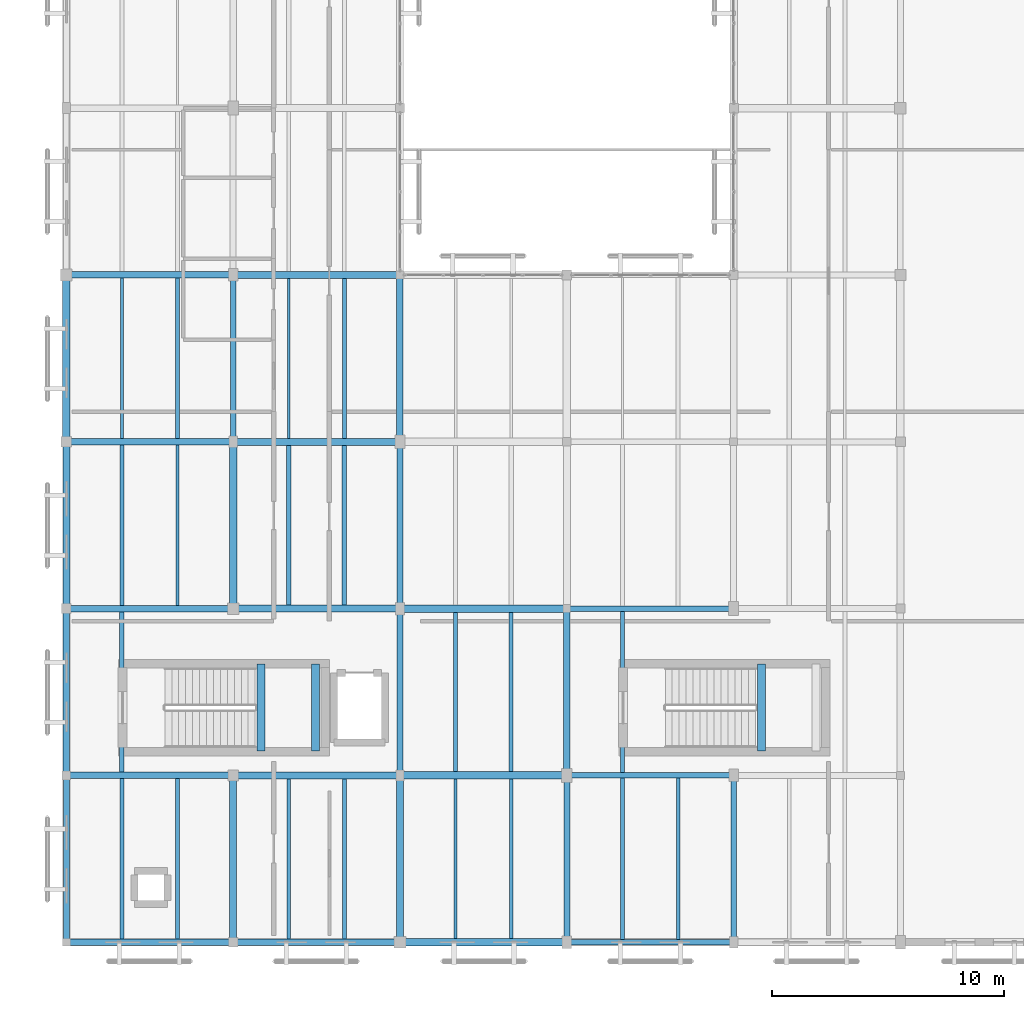
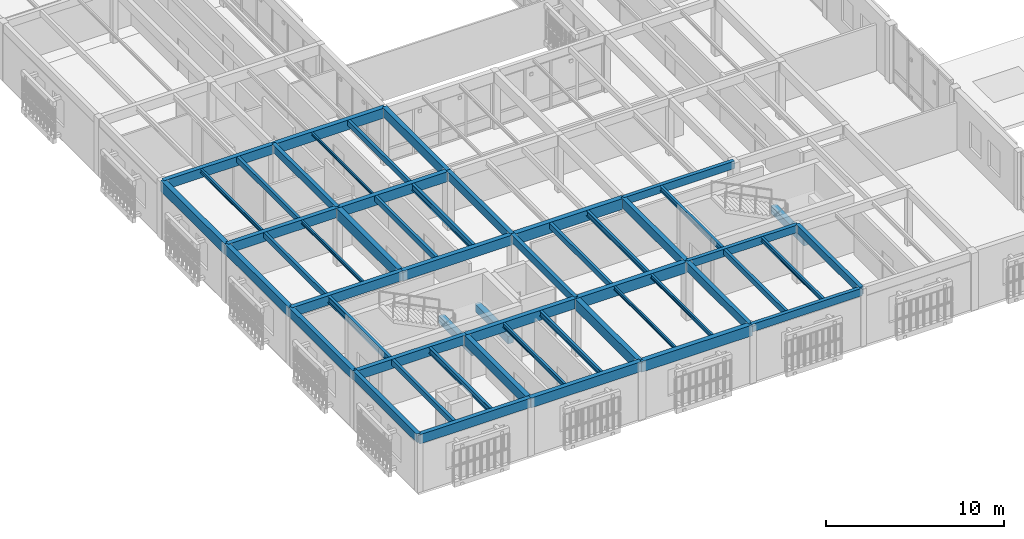
# One storey, part 9 of 61: 53 beams.
"""IFC4 building model written with IfcOpenShell, lengths in metres."""

from ifc_helpers import new_model, si_unit, direction, frame, origin, origin_2d, place, context, subcontext, project, spatial, rectangle, i_section, extrude, material, material_profile, profile_set, type_object, element, save


model = new_model("IFC4")

# Units and contexts
model_context = context("Model", 3, precision=1e-05, world=origin(), true_north=direction((0.0, 1.0)))
body_context = subcontext(model_context, "Body", "Model", "MODEL_VIEW")
ifc_project = project(units=[si_unit("LENGTHUNIT", "METRE"), si_unit("AREAUNIT", "SQUARE_METRE"), si_unit("VOLUMEUNIT", "CUBIC_METRE"), si_unit("PLANEANGLEUNIT", "RADIAN"), si_unit("MASSUNIT", "GRAM", prefix="KILO")], contexts=[model_context])

# Site, building, storey
site_placement = place(None, origin())
site = spatial("IfcSite", under=ifc_project, at=site_placement, CompositionType="ELEMENT")
building_placement = place(site_placement, origin())
building = spatial("IfcBuilding", under=site, at=building_placement, Name="Mazaris Harbour Polytechnic", CompositionType="ELEMENT")
storey_placement = place(building_placement, frame((0.0, 0.0, 18.0)))
storey = spatial("IfcBuildingStorey", under=building, at=storey_placement, Name="L04", CompositionType="ELEMENT", Elevation=18.0)

# Beams
ifc_material_1 = material(Name="Glulam GL32h", Category="wood")
ifc_material_profile_1 = material_profile(ifc_material_1, rectangle(XDim=0.239990234375, YDim=0.52001953125, at=origin_2d()), Name="RECT240x520")
ifc_profile_set_1 = profile_set([ifc_material_profile_1], Name="Glulam GL32h")
beam_type_1 = type_object("IfcBeamType", Name="Glulam Girder 240x520", PredefinedType="BEAM", material=ifc_profile_set_1)
for number, where, z_axis, x_axis, name in (
    (1, (21.60009765625, 14.39990234375, 3.675048828125), (1.0, 0.0, 0.0), (0.0, 1.0, 0.0), "V4 L04 Girder 2370"),
    (2, (21.60009765625, 21.60009765625, 3.675048828125), (1.0, 0.0, 0.0), (0.0, 1.0, 0.0), "V4 L04 Girder 2375"),
    (3, (7.199951171875, 28.800048828125, 3.675048828125), (0.0, 1.0, 0.0), (-1.0, 0.0, 0.0), "V4 L04 Tie Girder 2405"),
):
    element("IfcBeam", number, at=place(storey_placement, frame(where, z_axis=z_axis, x_axis=x_axis)), inside=storey, type_object=beam_type_1, Name=name, PredefinedType="BEAM", context=body_context, shape_type="SweptSolid", body=[
        extrude(rectangle(XDim=0.239990234375, YDim=0.52001953125, at=origin_2d()), origin(), (0.0, 0.0, 1.0), 7.199951171875),
    ])
beam_1_placement = place(storey_placement, frame((14.39990234375, 14.39990234375, 3.675048828125), z_axis=(0.0, 1.0, 0.0), x_axis=(-1.0, 0.0, 0.0)))
element("IfcBeam", 4, at=beam_1_placement, inside=storey, type_object=beam_type_1, Name="V4 L04 Tie Girder 2410", PredefinedType="BEAM", context=body_context, shape_type="SweptSolid", body=[
    extrude(rectangle(XDim=0.239990234375, YDim=0.52001953125, at=origin_2d()), origin(), (0.0, 0.0, 1.0), 7.2001953125),
])
beam_2_placement = place(storey_placement, frame((28.800048828125, 7.199951171875, 3.675048828125), z_axis=(0.0, 1.0, 0.0), x_axis=(-1.0, 0.0, 0.0)))
element("IfcBeam", 5, at=beam_2_placement, inside=storey, type_object=beam_type_1, Name="V4 L04 Tie Girder 2420", PredefinedType="BEAM", context=body_context, shape_type="SweptSolid", body=[
    extrude(rectangle(XDim=0.239990234375, YDim=0.52001953125, at=origin_2d()), origin(), (0.0, 0.0, 1.0), 7.199951171875),
])
ifc_material_2 = material(Name="Glulam GL32h", Category="wood")
ifc_material_profile_2 = material_profile(ifc_material_2, rectangle(XDim=0.239990234375, YDim=0.52001953125, at=origin_2d()), Name="RECT240x520")
ifc_profile_set_2 = profile_set([ifc_material_profile_2], Name="Glulam GL32h")
beam_type_2 = type_object("IfcBeamType", Name="Glulam Girder 240x520 Exterior", PredefinedType="BEAM", material=ifc_profile_set_2)
beam_3_placement = place(storey_placement, frame((21.60009765625, 7.199951171875, 3.675048828125), z_axis=(1.0, 0.0, 0.0), x_axis=(0.0, 1.0, 0.0)))
element("IfcBeam", 6, at=beam_3_placement, inside=storey, type_object=beam_type_2, Name="V4 L04 Girder 2365", PredefinedType="BEAM", context=body_context, shape_type="SweptSolid", body=[
    extrude(rectangle(XDim=0.239990234375, YDim=0.52001953125, at=origin_2d()), origin(), (0.0, 0.0, 1.0), 7.199951171875),
])
ifc_material_3 = material(Name="Glulam GL32h", Category="wood")
ifc_material_profile_3 = material_profile(ifc_material_3, rectangle(XDim=0.260009765625, YDim=0.580078125, at=origin_2d()), Name="RECT260x580")
ifc_profile_set_3 = profile_set([ifc_material_profile_3], Name="Glulam GL32h")
beam_type_3 = type_object("IfcBeamType", Name="Glulam Girder 260x580", PredefinedType="BEAM", material=ifc_profile_set_3)
for number, where, z_axis, x_axis, name in (
    (7, (14.39990234375, 21.60009765625, 3.64501953125), (0.0, 1.0, 0.0), (-1.0, 0.0, 0.0), "V4 L04 Tie Girder 2411"),
    (8, (21.60009765625, 7.199951171875, 3.64501953125), (0.0, 1.0, 0.0), (-1.0, 0.0, 0.0), "V4 L04 Tie Girder 2416"),
):
    element("IfcBeam", number, at=place(storey_placement, frame(where, z_axis=z_axis, x_axis=x_axis)), inside=storey, type_object=beam_type_3, Name=name, PredefinedType="BEAM", context=body_context, shape_type="SweptSolid", body=[
        extrude(rectangle(XDim=0.260009765625, YDim=0.580078125, at=origin_2d()), origin(), (0.0, 0.0, 1.0), 7.199951171875),
    ])
ifc_material_4 = material(Name="Glulam GL32h", Category="wood")
ifc_material_profile_4 = material_profile(ifc_material_4, rectangle(XDim=0.260009765625, YDim=0.580078125, at=origin_2d()), Name="RECT260x580")
ifc_profile_set_4 = profile_set([ifc_material_profile_4], Name="Glulam GL32h")
beam_type_4 = type_object("IfcBeamType", Name="Glulam Girder 260x580 Exterior", PredefinedType="BEAM", material=ifc_profile_set_4)
beam_4_placement = place(storey_placement, frame((0.0, 7.199951171875, 3.64501953125), z_axis=(0.0, 1.0, 0.0), x_axis=(-1.0, 0.0, 0.0)))
element("IfcBeam", 9, at=beam_4_placement, inside=storey, type_object=beam_type_4, Name="V4 L04 Tie Girder 2396", PredefinedType="BEAM", context=body_context, shape_type="SweptSolid", body=[
    extrude(rectangle(XDim=0.260009765625, YDim=0.580078125, at=origin_2d()), origin(), (0.0, 0.0, 1.0), 7.199951171875),
])
ifc_material_5 = material(Name="Glulam GL32h", Category="wood")
ifc_material_profile_5 = material_profile(ifc_material_5, rectangle(XDim=0.280029296875, YDim=0.639892578125, at=origin_2d()), Name="RECT280x640")
ifc_profile_set_5 = profile_set([ifc_material_profile_5], Name="Glulam GL32h")
beam_type_5 = type_object("IfcBeamType", Name="Glulam Girder 280x640", PredefinedType="BEAM", material=ifc_profile_set_5)
for number, where, z_axis, x_axis, name in (
    (10, (0.0, 14.39990234375, 3.614990234375), (1.0, 0.0, 0.0), (0.0, 1.0, 0.0), "V4 L04 Girder 2367"),
    (11, (0.0, 21.60009765625, 3.614990234375), (1.0, 0.0, 0.0), (0.0, 1.0, 0.0), "V4 L04 Girder 2372"),
    (12, (0.0, 28.800048828125, 3.614990234375), (1.0, 0.0, 0.0), (0.0, 1.0, 0.0), "V4 L04 Girder 2377"),
    (13, (0.0, 36.0, 3.614990234375), (1.0, 0.0, 0.0), (0.0, 1.0, 0.0), "V4 L04 Girder 2382"),
    (14, (14.39990234375, 28.800048828125, 3.614990234375), (0.0, 1.0, 0.0), (-1.0, 0.0, 0.0), "V4 L04 Tie Girder 2412"),
):
    element("IfcBeam", number, at=place(storey_placement, frame(where, z_axis=z_axis, x_axis=x_axis)), inside=storey, type_object=beam_type_5, Name=name, PredefinedType="BEAM", context=body_context, shape_type="SweptSolid", body=[
        extrude(rectangle(XDim=0.280029296875, YDim=0.639892578125, at=origin_2d()), origin(), (0.0, 0.0, 1.0), 7.199951171875),
    ])
beam_5_placement = place(storey_placement, frame((21.60009765625, 14.39990234375, 3.614990234375), z_axis=(0.0, 1.0, 0.0), x_axis=(-1.0, 0.0, 0.0)))
element("IfcBeam", 15, at=beam_5_placement, inside=storey, type_object=beam_type_5, Name="V4 L04 Tie Girder 2417", PredefinedType="BEAM", context=body_context, shape_type="SweptSolid", body=[
    extrude(rectangle(XDim=0.280029296875, YDim=0.639892578125, at=origin_2d()), origin(), (0.0, 0.0, 1.0), 7.2001953125),
])
ifc_material_6 = material(Name="Glulam GL32h", Category="wood")
ifc_material_profile_6 = material_profile(ifc_material_6, rectangle(XDim=0.280029296875, YDim=0.639892578125, at=origin_2d()), Name="RECT280x640")
ifc_profile_set_6 = profile_set([ifc_material_profile_6], Name="Glulam GL32h")
beam_type_6 = type_object("IfcBeamType", Name="Glulam Girder 280x640 Exterior", PredefinedType="BEAM", material=ifc_profile_set_6)
beam_6_placement = place(storey_placement, frame((0.0, 7.199951171875, 3.614990234375), z_axis=(1.0, 0.0, 0.0), x_axis=(0.0, 1.0, 0.0)))
element("IfcBeam", 16, at=beam_6_placement, inside=storey, type_object=beam_type_6, Name="V4 L04 Girder 2362", PredefinedType="BEAM", context=body_context, shape_type="SweptSolid", body=[
    extrude(rectangle(XDim=0.280029296875, YDim=0.639892578125, at=origin_2d()), origin(), (0.0, 0.0, 1.0), 7.199951171875),
])
beam_7_placement = place(storey_placement, frame((0.0, 14.39990234375, 3.614990234375), z_axis=(0.0, 1.0, 0.0), x_axis=(-1.0, 0.0, 0.0)))
element("IfcBeam", 17, at=beam_7_placement, inside=storey, type_object=beam_type_6, Name="V4 L04 Tie Girder 2397", PredefinedType="BEAM", context=body_context, shape_type="SweptSolid", body=[
    extrude(rectangle(XDim=0.280029296875, YDim=0.639892578125, at=origin_2d()), origin(), (0.0, 0.0, 1.0), 7.2001953125),
])
ifc_material_7 = material(Name="Glulam GL32h", Category="wood")
ifc_material_profile_7 = material_profile(ifc_material_7, rectangle(XDim=0.300048828125, YDim=0.679931640625, at=origin_2d()), Name="RECT300x680")
ifc_profile_set_7 = profile_set([ifc_material_profile_7], Name="Glulam GL32h")
beam_type_7 = type_object("IfcBeamType", Name="Glulam Girder 300x680", PredefinedType="BEAM", material=ifc_profile_set_7)
for number, where, z_axis, x_axis, name in (
    (18, (7.199951171875, 14.39990234375, 3.594970703125), (1.0, 0.0, 0.0), (0.0, 1.0, 0.0), "V4 L04 Girder 2368"),
    (19, (7.199951171875, 21.60009765625, 3.594970703125), (1.0, 0.0, 0.0), (0.0, 1.0, 0.0), "V4 L04 Girder 2373"),
    (20, (7.199951171875, 28.800048828125, 3.594970703125), (1.0, 0.0, 0.0), (0.0, 1.0, 0.0), "V4 L04 Girder 2378"),
    (21, (7.199951171875, 36.0, 3.594970703125), (1.0, 0.0, 0.0), (0.0, 1.0, 0.0), "V4 L04 Girder 2383"),
    (22, (7.199951171875, 7.199951171875, 3.594970703125), (0.0, 1.0, 0.0), (-1.0, 0.0, 0.0), "V4 L04 Tie Girder 2403"),
):
    element("IfcBeam", number, at=place(storey_placement, frame(where, z_axis=z_axis, x_axis=x_axis)), inside=storey, type_object=beam_type_7, Name=name, PredefinedType="BEAM", context=body_context, shape_type="SweptSolid", body=[
        extrude(rectangle(XDim=0.300048828125, YDim=0.679931640625, at=origin_2d()), origin(), (0.0, 0.0, 1.0), 7.199951171875),
    ])
ifc_material_8 = material(Name="Glulam GL32h", Category="wood")
ifc_material_profile_8 = material_profile(ifc_material_8, rectangle(XDim=0.300048828125, YDim=0.679931640625, at=origin_2d()), Name="RECT300x680")
ifc_profile_set_8 = profile_set([ifc_material_profile_8], Name="Glulam GL32h")
beam_type_8 = type_object("IfcBeamType", Name="Glulam Girder 300x680 Exterior", PredefinedType="BEAM", material=ifc_profile_set_8)
for number, where, z_axis, x_axis, name in (
    (23, (7.199951171875, 7.199951171875, 3.594970703125), (1.0, 0.0, 0.0), (0.0, 1.0, 0.0), "V4 L04 Girder 2363"),
    (24, (0.0, 21.60009765625, 3.594970703125), (0.0, 1.0, 0.0), (-1.0, 0.0, 0.0), "V4 L04 Tie Girder 2398"),
):
    element("IfcBeam", number, at=place(storey_placement, frame(where, z_axis=z_axis, x_axis=x_axis)), inside=storey, type_object=beam_type_8, Name=name, PredefinedType="BEAM", context=body_context, shape_type="SweptSolid", body=[
        extrude(rectangle(XDim=0.300048828125, YDim=0.679931640625, at=origin_2d()), origin(), (0.0, 0.0, 1.0), 7.199951171875),
    ])
ifc_material_9 = material(Name="Glulam GL32h", Category="wood")
ifc_material_profile_9 = material_profile(ifc_material_9, rectangle(XDim=0.320068359375, YDim=0.739990234375, at=origin_2d()), Name="RECT320x740")
ifc_profile_set_9 = profile_set([ifc_material_profile_9], Name="Glulam GL32h")
beam_type_9 = type_object("IfcBeamType", Name="Glulam Girder 320x740", PredefinedType="BEAM", material=ifc_profile_set_9)
for number, where, z_axis, x_axis, name in (
    (25, (14.39990234375, 14.39990234375, 3.56494140625), (1.0, 0.0, 0.0), (0.0, 1.0, 0.0), "V4 L04 Girder 2369"),
    (26, (14.39990234375, 21.60009765625, 3.56494140625), (1.0, 0.0, 0.0), (0.0, 1.0, 0.0), "V4 L04 Girder 2374"),
):
    element("IfcBeam", number, at=place(storey_placement, frame(where, z_axis=z_axis, x_axis=x_axis)), inside=storey, type_object=beam_type_9, Name=name, PredefinedType="BEAM", context=body_context, shape_type="SweptSolid", body=[
        extrude(rectangle(XDim=0.320068359375, YDim=0.739990234375, at=origin_2d()), origin(), (0.0, 0.0, 1.0), 7.2001953125),
    ])
for number, where, z_axis, x_axis, name in (
    (27, (7.199951171875, 21.60009765625, 3.56494140625), (0.0, 1.0, 0.0), (-1.0, 0.0, 0.0), "V4 L04 Tie Girder 2404"),
    (28, (14.39990234375, 7.199951171875, 3.56494140625), (0.0, 1.0, 0.0), (-1.0, 0.0, 0.0), "V4 L04 Tie Girder 2409"),
):
    element("IfcBeam", number, at=place(storey_placement, frame(where, z_axis=z_axis, x_axis=x_axis)), inside=storey, type_object=beam_type_9, Name=name, PredefinedType="BEAM", context=body_context, shape_type="SweptSolid", body=[
        extrude(rectangle(XDim=0.320068359375, YDim=0.739990234375, at=origin_2d()), origin(), (0.0, 0.0, 1.0), 7.199951171875),
    ])
ifc_material_10 = material(Name="Glulam GL32h", Category="wood")
ifc_material_profile_10 = material_profile(ifc_material_10, rectangle(XDim=0.320068359375, YDim=0.739990234375, at=origin_2d()), Name="RECT320x740")
ifc_profile_set_10 = profile_set([ifc_material_profile_10], Name="Glulam GL32h")
beam_type_10 = type_object("IfcBeamType", Name="Glulam Girder 320x740 Exterior", PredefinedType="BEAM", material=ifc_profile_set_10)
beam_8_placement = place(storey_placement, frame((14.39990234375, 7.199951171875, 3.56494140625), z_axis=(1.0, 0.0, 0.0), x_axis=(0.0, 1.0, 0.0)))
element("IfcBeam", 29, at=beam_8_placement, inside=storey, type_object=beam_type_10, Name="V4 L04 Girder 2364", PredefinedType="BEAM", context=body_context, shape_type="SweptSolid", body=[
    extrude(rectangle(XDim=0.320068359375, YDim=0.739990234375, at=origin_2d()), origin(), (0.0, 0.0, 1.0), 7.2001953125),
])
beam_9_placement = place(storey_placement, frame((0.0, 28.800048828125, 3.56494140625), z_axis=(0.0, 1.0, 0.0), x_axis=(-1.0, 0.0, 0.0)))
element("IfcBeam", 30, at=beam_9_placement, inside=storey, type_object=beam_type_10, Name="V4 L04 Tie Girder 2399", PredefinedType="BEAM", context=body_context, shape_type="SweptSolid", body=[
    extrude(rectangle(XDim=0.320068359375, YDim=0.739990234375, at=origin_2d()), origin(), (0.0, 0.0, 1.0), 7.199951171875),
])
ifc_material_11 = material(Name="Glulam GL28h", Category="wood")
ifc_material_profile_11 = material_profile(ifc_material_11, rectangle(XDim=0.179931640625, YDim=0.3798828125, at=origin_2d()), Name="RECT180x380")
ifc_profile_set_11 = profile_set([ifc_material_profile_11], Name="Glulam GL28h")
beam_type_11 = type_object("IfcBeamType", Name="Glulam Joist 180x380", PredefinedType="JOIST", material=ifc_profile_set_11)
for number, where, z_axis, x_axis, name in (
    (31, (2.39990234375, 7.340087890625, 3.7451171875), (0.0, 1.0, 0.0), (-1.0, 0.0, 0.0), "V4 L04 Floor Joist 2433"),
    (32, (2.39990234375, 21.739990234375, 3.7451171875), (0.0, 1.0, 0.0), (-1.0, 0.0, 0.0), "V4 L04 Floor Joist 2436"),
):
    element("IfcBeam", number, at=place(storey_placement, frame(where, z_axis=z_axis, x_axis=x_axis)), inside=storey, type_object=beam_type_11, Name=name, PredefinedType="JOIST", context=body_context, shape_type="SweptSolid", body=[
        extrude(rectangle(XDim=0.179931640625, YDim=0.3798828125, at=origin_2d()), origin(), (0.0, 0.0, 1.0), 6.919921875),
    ])
beam_10_placement = place(storey_placement, frame((4.800048828125, 28.93994140625, 3.7451171875), z_axis=(0.0, 1.0, 0.0), x_axis=(-1.0, 0.0, 0.0)))
element("IfcBeam", 33, at=beam_10_placement, inside=storey, type_object=beam_type_11, Name="V4 L04 Floor Joist 2439", PredefinedType="JOIST", context=body_context, shape_type="SweptSolid", body=[
    extrude(rectangle(XDim=0.179931640625, YDim=0.3798828125, at=origin_2d()), origin(), (0.0, 0.0, 1.0), 6.920166015625),
])
beam_11_placement = place(storey_placement, frame((9.60009765625, 21.75, 3.7451171875), z_axis=(0.0, 1.0, 0.0), x_axis=(-1.0, 0.0, 0.0)))
element("IfcBeam", 34, at=beam_11_placement, inside=storey, type_object=beam_type_11, Name="V4 L04 Floor Joist 2448", PredefinedType="JOIST", context=body_context, shape_type="SweptSolid", body=[
    extrude(rectangle(XDim=0.179931640625, YDim=0.3798828125, at=origin_2d()), origin(), (0.0, 0.0, 1.0), 6.89990234375),
])
beam_12_placement = place(storey_placement, frame((12.0, 28.949951171875, 3.7451171875), z_axis=(0.0, 1.0, 0.0), x_axis=(-1.0, 0.0, 0.0)))
element("IfcBeam", 35, at=beam_12_placement, inside=storey, type_object=beam_type_11, Name="V4 L04 Floor Joist 2451", PredefinedType="JOIST", context=body_context, shape_type="SweptSolid", body=[
    extrude(rectangle(XDim=0.179931640625, YDim=0.3798828125, at=origin_2d()), origin(), (0.0, 0.0, 1.0), 6.900146484375),
])
beam_13_placement = place(storey_placement, frame((16.800048828125, 14.56005859375, 3.7451171875), z_axis=(0.0, 1.0, 0.0), x_axis=(-1.0, 0.0, 0.0)))
element("IfcBeam", 36, at=beam_13_placement, inside=storey, type_object=beam_type_11, Name="V4 L04 Floor Joist 2460", PredefinedType="JOIST", context=body_context, shape_type="SweptSolid", body=[
    extrude(rectangle(XDim=0.179931640625, YDim=0.3798828125, at=origin_2d()), origin(), (0.0, 0.0, 1.0), 6.8798828125),
])
beam_14_placement = place(storey_placement, frame((24.0, 7.320068359375, 3.7451171875), z_axis=(0.0, 1.0, 0.0), x_axis=(-1.0, 0.0, 0.0)))
element("IfcBeam", 37, at=beam_14_placement, inside=storey, type_object=beam_type_11, Name="V4 L04 Floor Joist 2466", PredefinedType="JOIST", context=body_context, shape_type="SweptSolid", body=[
    extrude(rectangle(XDim=0.179931640625, YDim=0.3798828125, at=origin_2d()), origin(), (0.0, 0.0, 1.0), 6.9599609375),
])
ifc_material_12 = material(Name="Concrete C40/50", Category="concrete")
ifc_material_profile_12 = material_profile(ifc_material_12, rectangle(XDim=0.35009765625, YDim=0.52001953125, at=origin_2d()), Name="RECT350x520")
ifc_profile_set_12 = profile_set([ifc_material_profile_12], Name="Concrete C40/50")
beam_type_12 = type_object("IfcBeamType", Name="RC Landing Bearer 350x520", PredefinedType="BEAM", material=ifc_profile_set_12)
for number, where, z_axis, x_axis, name in (
    (38, (8.39990234375, 15.449951171875, 1.639892578125), (0.0, 1.0, 0.0), (-1.0, 0.0, 0.0), "Core ST07 L04 Landing Bearer"),
    (39, (10.75, 15.449951171875, 1.639892578125), (0.0, 1.0, 0.0), (-1.0, 0.0, 0.0), "Core ST07 L04 Landing Bearer"),
    (40, (30.0, 15.449951171875, 1.639892578125), (0.0, 1.0, 0.0), (-1.0, 0.0, 0.0), "Core ST08 L04 Landing Bearer"),
):
    element("IfcBeam", number, at=place(storey_placement, frame(where, z_axis=z_axis, x_axis=x_axis)), inside=storey, type_object=beam_type_12, Name=name, PredefinedType="BEAM", context=body_context, shape_type="SweptSolid", body=[
        extrude(rectangle(XDim=0.35009765625, YDim=0.52001953125, at=origin_2d()), origin(), (0.0, 0.0, 1.0), 3.75),
    ])
ifc_material_13 = material(Name="Steel S355", Category="steel")
ifc_material_profile_13 = material_profile(ifc_material_13, i_section(OverallWidth=0.10009765625, OverallDepth=0.199951171875, WebThickness=0.005615234375, FlangeThickness=0.008544921875, FilletRadius=0.011962890625, at=origin_2d()), Name="IPE 200")
ifc_profile_set_13 = profile_set([ifc_material_profile_13], Name="Steel S355")
beam_type_13 = type_object("IfcBeamType", Name="Steel Joist IPE200", PredefinedType="JOIST", material=ifc_profile_set_13)
beam_15_placement = place(storey_placement, frame((9.60009765625, 28.949951171875, 3.8349609375), z_axis=(0.0, 1.0, 0.0), x_axis=(-1.0, 0.0, 0.0)))
element("IfcBeam", 41, at=beam_15_placement, inside=storey, type_object=beam_type_13, Name="V4 L04 Floor Joist 2450", PredefinedType="JOIST", context=body_context, shape_type="SweptSolid", body=[
    extrude(i_section(OverallWidth=0.10009765625, OverallDepth=0.199951171875, WebThickness=0.005615234375, FlangeThickness=0.008544921875, FilletRadius=0.011962890625, at=origin_2d()), origin(), (0.0, 0.0, 1.0), 6.900146484375),
])
ifc_material_14 = material(Name="Steel S355", Category="steel")
ifc_material_profile_14 = material_profile(ifc_material_14, i_section(OverallWidth=0.1201171875, OverallDepth=0.239990234375, WebThickness=0.006103515625, FlangeThickness=0.009765625, FilletRadius=0.014892578125, at=origin_2d()), Name="IPE 240")
ifc_profile_set_14 = profile_set([ifc_material_profile_14], Name="Steel S355")
beam_type_14 = type_object("IfcBeamType", Name="Steel Joist IPE240", PredefinedType="JOIST", material=ifc_profile_set_14)
beam_16_placement = place(storey_placement, frame((4.800048828125, 21.739990234375, 3.81494140625), z_axis=(0.0, 1.0, 0.0), x_axis=(-1.0, 0.0, 0.0)))
element("IfcBeam", 42, at=beam_16_placement, inside=storey, type_object=beam_type_14, Name="V4 L04 Floor Joist 2437", PredefinedType="JOIST", context=body_context, shape_type="SweptSolid", body=[
    extrude(i_section(OverallWidth=0.1201171875, OverallDepth=0.239990234375, WebThickness=0.006103515625, FlangeThickness=0.009765625, FilletRadius=0.014892578125, at=origin_2d()), origin(), (0.0, 0.0, 1.0), 6.919921875),
])
beam_17_placement = place(storey_placement, frame((16.800048828125, 7.360107421875, 3.81494140625), z_axis=(0.0, 1.0, 0.0), x_axis=(-1.0, 0.0, 0.0)))
element("IfcBeam", 43, at=beam_17_placement, inside=storey, type_object=beam_type_14, Name="V4 L04 Floor Joist 2458", PredefinedType="JOIST", context=body_context, shape_type="SweptSolid", body=[
    extrude(i_section(OverallWidth=0.1201171875, OverallDepth=0.239990234375, WebThickness=0.006103515625, FlangeThickness=0.009765625, FilletRadius=0.014892578125, at=origin_2d()), origin(), (0.0, 0.0, 1.0), 6.8798828125),
])
ifc_material_15 = material(Name="Steel S355", Category="steel")
ifc_material_profile_15 = material_profile(ifc_material_15, i_section(OverallWidth=0.135009765625, OverallDepth=0.27001953125, WebThickness=0.006591796875, FlangeThickness=0.01025390625, FilletRadius=0.014892578125, at=origin_2d()), Name="IPE 270")
ifc_profile_set_15 = profile_set([ifc_material_profile_15], Name="Steel S355")
beam_type_15 = type_object("IfcBeamType", Name="Steel Joist IPE270", PredefinedType="JOIST", material=ifc_profile_set_15)
beam_18_placement = place(storey_placement, frame((2.39990234375, 28.93994140625, 3.800048828125), z_axis=(0.0, 1.0, 0.0), x_axis=(-1.0, 0.0, 0.0)))
element("IfcBeam", 44, at=beam_18_placement, inside=storey, type_object=beam_type_15, Name="V4 L04 Floor Joist 2438", PredefinedType="JOIST", context=body_context, shape_type="SweptSolid", body=[
    extrude(i_section(OverallWidth=0.135009765625, OverallDepth=0.27001953125, WebThickness=0.006591796875, FlangeThickness=0.01025390625, FilletRadius=0.014892578125, at=origin_2d()), origin(), (0.0, 0.0, 1.0), 6.920166015625),
])
beam_19_placement = place(storey_placement, frame((19.199951171875, 7.360107421875, 3.800048828125), z_axis=(0.0, 1.0, 0.0), x_axis=(-1.0, 0.0, 0.0)))
element("IfcBeam", 45, at=beam_19_placement, inside=storey, type_object=beam_type_15, Name="V4 L04 Floor Joist 2459", PredefinedType="JOIST", context=body_context, shape_type="SweptSolid", body=[
    extrude(i_section(OverallWidth=0.135009765625, OverallDepth=0.27001953125, WebThickness=0.006591796875, FlangeThickness=0.01025390625, FilletRadius=0.014892578125, at=origin_2d()), origin(), (0.0, 0.0, 1.0), 6.8798828125),
])
ifc_material_16 = material(Name="Steel S355", Category="steel")
ifc_material_profile_16 = material_profile(ifc_material_16, i_section(OverallWidth=0.14990234375, OverallDepth=0.300048828125, WebThickness=0.007080078125, FlangeThickness=0.0107421875, FilletRadius=0.014892578125, at=origin_2d()), Name="IPE 300")
ifc_profile_set_16 = profile_set([ifc_material_profile_16], Name="Steel S355")
beam_type_16 = type_object("IfcBeamType", Name="Steel Joist IPE300", PredefinedType="JOIST", material=ifc_profile_set_16)
beam_20_placement = place(storey_placement, frame((9.60009765625, 7.35009765625, 3.784912109375), z_axis=(0.0, 1.0, 0.0), x_axis=(-1.0, 0.0, 0.0)))
element("IfcBeam", 46, at=beam_20_placement, inside=storey, type_object=beam_type_16, Name="V4 L04 Floor Joist 2446", PredefinedType="JOIST", context=body_context, shape_type="SweptSolid", body=[
    extrude(i_section(OverallWidth=0.14990234375, OverallDepth=0.300048828125, WebThickness=0.007080078125, FlangeThickness=0.0107421875, FilletRadius=0.014892578125, at=origin_2d()), origin(), (0.0, 0.0, 1.0), 6.89990234375),
])
beam_21_placement = place(storey_placement, frame((26.39990234375, 7.320068359375, 3.784912109375), z_axis=(0.0, 1.0, 0.0), x_axis=(-1.0, 0.0, 0.0)))
element("IfcBeam", 47, at=beam_21_placement, inside=storey, type_object=beam_type_16, Name="V4 L04 Floor Joist 2467", PredefinedType="JOIST", context=body_context, shape_type="SweptSolid", body=[
    extrude(i_section(OverallWidth=0.14990234375, OverallDepth=0.300048828125, WebThickness=0.007080078125, FlangeThickness=0.0107421875, FilletRadius=0.014892578125, at=origin_2d()), origin(), (0.0, 0.0, 1.0), 6.9599609375),
])
ifc_material_17 = material(Name="Steel S355", Category="steel")
ifc_material_profile_17 = material_profile(ifc_material_17, i_section(OverallWidth=0.169921875, OverallDepth=0.360107421875, WebThickness=0.008056640625, FlangeThickness=0.0126953125, FilletRadius=0.01806640625, at=origin_2d()), Name="IPE 360")
ifc_profile_set_17 = profile_set([ifc_material_profile_17], Name="Steel S355")
beam_type_17 = type_object("IfcBeamType", Name="Steel Joist IPE360", PredefinedType="JOIST", material=ifc_profile_set_17)
beam_22_placement = place(storey_placement, frame((12.0, 7.35009765625, 3.7548828125), z_axis=(0.0, 1.0, 0.0), x_axis=(-1.0, 0.0, 0.0)))
element("IfcBeam", 48, at=beam_22_placement, inside=storey, type_object=beam_type_17, Name="V4 L04 Floor Joist 2447", PredefinedType="JOIST", context=body_context, shape_type="SweptSolid", body=[
    extrude(i_section(OverallWidth=0.169921875, OverallDepth=0.360107421875, WebThickness=0.008056640625, FlangeThickness=0.0126953125, FilletRadius=0.01806640625, at=origin_2d()), origin(), (0.0, 0.0, 1.0), 6.89990234375),
])
beam_23_placement = place(storey_placement, frame((19.199951171875, 14.56005859375, 3.7548828125), z_axis=(0.0, 1.0, 0.0), x_axis=(-1.0, 0.0, 0.0)))
element("IfcBeam", 49, at=beam_23_placement, inside=storey, type_object=beam_type_17, Name="V4 L04 Floor Joist 2461", PredefinedType="JOIST", context=body_context, shape_type="SweptSolid", body=[
    extrude(i_section(OverallWidth=0.169921875, OverallDepth=0.360107421875, WebThickness=0.008056640625, FlangeThickness=0.0126953125, FilletRadius=0.01806640625, at=origin_2d()), origin(), (0.0, 0.0, 1.0), 6.8798828125),
])
beam_24_placement = place(storey_placement, frame((24.0, 14.52001953125, 3.7548828125), z_axis=(0.0, 1.0, 0.0), x_axis=(-1.0, 0.0, 0.0)))
element("IfcBeam", 50, at=beam_24_placement, inside=storey, type_object=beam_type_17, Name="V4 L04 Floor Joist 2468", PredefinedType="JOIST", context=body_context, shape_type="SweptSolid", body=[
    extrude(i_section(OverallWidth=0.169921875, OverallDepth=0.360107421875, WebThickness=0.008056640625, FlangeThickness=0.0126953125, FilletRadius=0.01806640625, at=origin_2d()), origin(), (0.0, 0.0, 1.0), 6.9599609375),
])
ifc_material_18 = material(Name="Steel S355", Category="steel")
ifc_material_profile_18 = material_profile(ifc_material_18, i_section(OverallWidth=0.179931640625, OverallDepth=0.39990234375, WebThickness=0.008544921875, FlangeThickness=0.013427734375, FilletRadius=0.02099609375, at=origin_2d()), Name="IPE 400")
ifc_profile_set_18 = profile_set([ifc_material_profile_18], Name="Steel S355")
beam_type_18 = type_object("IfcBeamType", Name="Steel Joist IPE400", PredefinedType="JOIST", material=ifc_profile_set_18)
beam_25_placement = place(storey_placement, frame((4.800048828125, 7.340087890625, 3.735107421875), z_axis=(0.0, 1.0, 0.0), x_axis=(-1.0, 0.0, 0.0)))
element("IfcBeam", 51, at=beam_25_placement, inside=storey, type_object=beam_type_18, Name="V4 L04 Floor Joist 2434", PredefinedType="JOIST", context=body_context, shape_type="SweptSolid", body=[
    extrude(i_section(OverallWidth=0.179931640625, OverallDepth=0.39990234375, WebThickness=0.008544921875, FlangeThickness=0.013427734375, FilletRadius=0.02099609375, at=origin_2d()), origin(), (0.0, 0.0, 1.0), 6.919921875),
])
ifc_material_19 = material(Name="Steel S355", Category="steel")
ifc_material_profile_19 = material_profile(ifc_material_19, i_section(OverallWidth=0.18994140625, OverallDepth=0.449951171875, WebThickness=0.009521484375, FlangeThickness=0.0146484375, FilletRadius=0.02099609375, at=origin_2d()), Name="IPE 450")
ifc_profile_set_19 = profile_set([ifc_material_profile_19], Name="Steel S355")
beam_type_19 = type_object("IfcBeamType", Name="Steel Joist IPE450", PredefinedType="JOIST", material=ifc_profile_set_19)
beam_26_placement = place(storey_placement, frame((2.39990234375, 14.5400390625, 3.7099609375), z_axis=(0.0, 1.0, 0.0), x_axis=(-1.0, 0.0, 0.0)))
element("IfcBeam", 52, at=beam_26_placement, inside=storey, type_object=beam_type_19, Name="V4 L04 Floor Joist 2435", PredefinedType="JOIST", context=body_context, shape_type="SweptSolid", body=[
    extrude(i_section(OverallWidth=0.18994140625, OverallDepth=0.449951171875, WebThickness=0.009521484375, FlangeThickness=0.0146484375, FilletRadius=0.02099609375, at=origin_2d()), origin(), (0.0, 0.0, 1.0), 6.919921875),
])
beam_27_placement = place(storey_placement, frame((12.0, 21.75, 3.7099609375), z_axis=(0.0, 1.0, 0.0), x_axis=(-1.0, 0.0, 0.0)))
element("IfcBeam", 53, at=beam_27_placement, inside=storey, type_object=beam_type_19, Name="V4 L04 Floor Joist 2449", PredefinedType="JOIST", context=body_context, shape_type="SweptSolid", body=[
    extrude(i_section(OverallWidth=0.18994140625, OverallDepth=0.449951171875, WebThickness=0.009521484375, FlangeThickness=0.0146484375, FilletRadius=0.02099609375, at=origin_2d()), origin(), (0.0, 0.0, 1.0), 6.89990234375),
])

save(model, "model.ifc")
